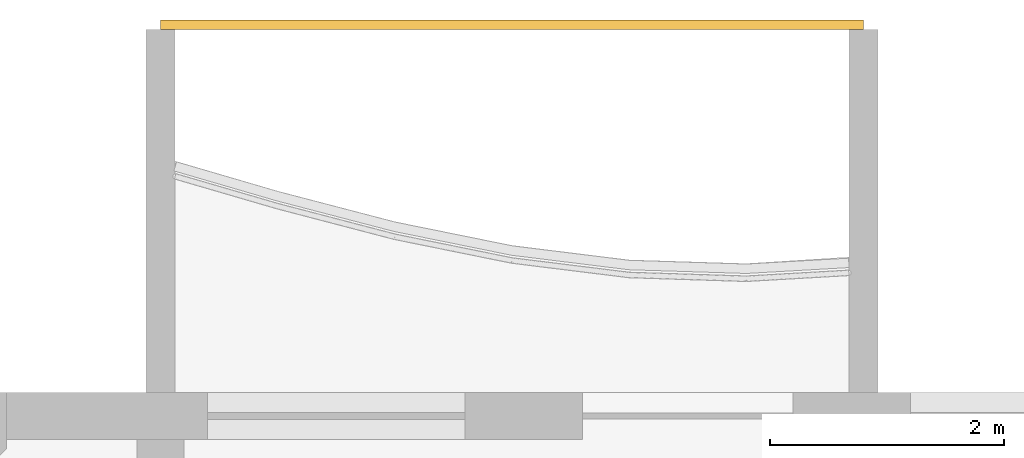
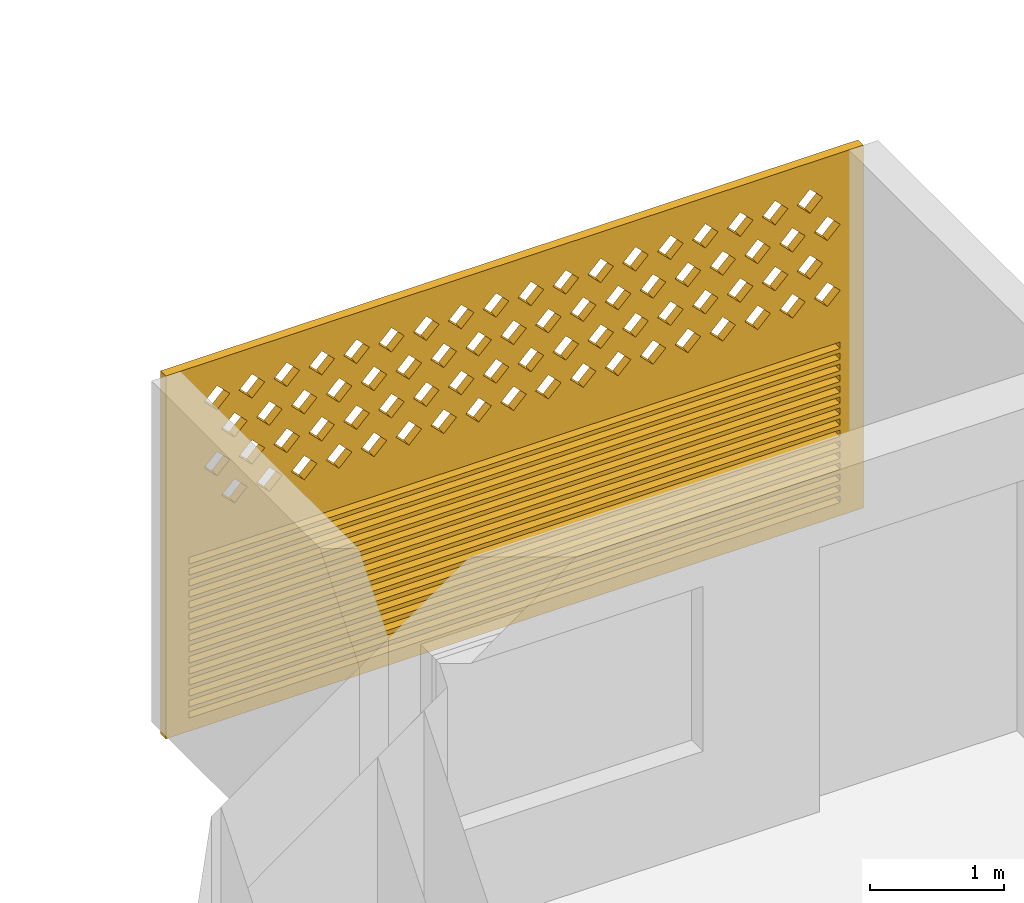
# One storey, part 23 of 44: 1 covering.
"""IFC4 building model written with IfcOpenShell, lengths in metres."""

from ifc_helpers import new_model, si_unit, direction, frame, origin, place, context, subcontext, project, spatial, polyline, outline, extrude, source, transform, mapped, material, material_profile, profile_set, type_object, element, save


model = new_model("IFC4")

# Units and contexts
model_context = context("Model", 3, precision=1e-05, world=origin(), true_north=direction((0.0, 1.0)))
body_context = subcontext(model_context, "Body", "Model", "MODEL_VIEW")
ifc_project = project(units=[si_unit("LENGTHUNIT", "METRE"), si_unit("AREAUNIT", "SQUARE_METRE"), si_unit("VOLUMEUNIT", "CUBIC_METRE"), si_unit("PLANEANGLEUNIT", "RADIAN"), si_unit("MASSUNIT", "GRAM", prefix="KILO")], contexts=[model_context])

# Site, building, storey
site_placement = place(None, origin())
site = spatial("IfcSite", under=ifc_project, at=site_placement, CompositionType="ELEMENT")
building_placement = place(site_placement, origin())
building = spatial("IfcBuilding", under=site, at=building_placement, Name="Poui Terraces", CompositionType="ELEMENT")
storey_placement = place(building_placement, frame((0.0, 0.0, 26.699951171875)))
storey = spatial("IfcBuildingStorey", under=building, at=storey_placement, Name="L06", CompositionType="ELEMENT", Elevation=26.699951171875)

# Covering
ifc_material = material(Name="Terracotta screen", Category="masonry")
ifc_material_profile = material_profile(ifc_material, outline(polyline([(-3.0, -1.64990234375), (3.0, -1.64990234375), (3.0, 1.64990234375), (-3.0, 1.64990234375), (-3.0, -1.64990234375)]), holes=[polyline([(-2.800048828125, 0.39990234375), (-2.68994140625, 0.2900390625), (-2.580078125, 0.39990234375), (-2.68994140625, 0.510009765625), (-2.800048828125, 0.39990234375)]), polyline([(-2.5, 0.39990234375), (-2.389892578125, 0.2900390625), (-2.280029296875, 0.39990234375), (-2.389892578125, 0.510009765625), (-2.5, 0.39990234375)]), polyline([(-2.199951171875, 0.39990234375), (-2.090087890625, 0.2900390625), (-1.97998046875, 0.39990234375), (-2.090087890625, 0.510009765625), (-2.199951171875, 0.39990234375)]), polyline([(-1.89990234375, 0.39990234375), (-1.7900390625, 0.2900390625), (-1.679931640625, 0.39990234375), (-1.7900390625, 0.510009765625), (-1.89990234375, 0.39990234375)]), polyline([(-1.60009765625, 0.39990234375), (-1.489990234375, 0.2900390625), (-1.3798828125, 0.39990234375), (-1.489990234375, 0.510009765625), (-1.60009765625, 0.39990234375)]), polyline([(-1.300048828125, 0.39990234375), (-1.18994140625, 0.2900390625), (-1.080078125, 0.39990234375), (-1.18994140625, 0.510009765625), (-1.300048828125, 0.39990234375)]), polyline([(-1.0, 0.39990234375), (-0.889892578125, 0.2900390625), (-0.780029296875, 0.39990234375), (-0.889892578125, 0.510009765625), (-1.0, 0.39990234375)]), polyline([(-0.699951171875, 0.39990234375), (-0.590087890625, 0.2900390625), (-0.47998046875, 0.39990234375), (-0.590087890625, 0.510009765625), (-0.699951171875, 0.39990234375)]), polyline([(-0.39990234375, 0.39990234375), (-0.2900390625, 0.2900390625), (-0.179931640625, 0.39990234375), (-0.2900390625, 0.510009765625), (-0.39990234375, 0.39990234375)]), polyline([(-0.10009765625, 0.39990234375), (0.010009765625, 0.2900390625), (0.1201171875, 0.39990234375), (0.010009765625, 0.510009765625), (-0.10009765625, 0.39990234375)]), polyline([(0.199951171875, 0.39990234375), (0.31005859375, 0.2900390625), (0.419921875, 0.39990234375), (0.31005859375, 0.510009765625), (0.199951171875, 0.39990234375)]), polyline([(0.5, 0.39990234375), (0.610107421875, 0.2900390625), (0.719970703125, 0.39990234375), (0.610107421875, 0.510009765625), (0.5, 0.39990234375)]), polyline([(0.800048828125, 0.39990234375), (0.909912109375, 0.2900390625), (1.02001953125, 0.39990234375), (0.909912109375, 0.510009765625), (0.800048828125, 0.39990234375)]), polyline([(1.10009765625, 0.39990234375), (1.2099609375, 0.2900390625), (1.320068359375, 0.39990234375), (1.2099609375, 0.510009765625), (1.10009765625, 0.39990234375)]), polyline([(1.39990234375, 0.39990234375), (1.510009765625, 0.2900390625), (1.6201171875, 0.39990234375), (1.510009765625, 0.510009765625), (1.39990234375, 0.39990234375)]), polyline([(1.699951171875, 0.39990234375), (1.81005859375, 0.2900390625), (1.919921875, 0.39990234375), (1.81005859375, 0.510009765625), (1.699951171875, 0.39990234375)]), polyline([(2.0, 0.39990234375), (2.110107421875, 0.2900390625), (2.219970703125, 0.39990234375), (2.110107421875, 0.510009765625), (2.0, 0.39990234375)]), polyline([(2.300048828125, 0.39990234375), (2.409912109375, 0.2900390625), (2.52001953125, 0.39990234375), (2.409912109375, 0.510009765625), (2.300048828125, 0.39990234375)]), polyline([(-2.64990234375, 0.699951171875), (-2.5400390625, 0.590087890625), (-2.429931640625, 0.699951171875), (-2.5400390625, 0.81005859375), (-2.64990234375, 0.699951171875)]), polyline([(-2.35009765625, 0.699951171875), (-2.239990234375, 0.590087890625), (-2.1298828125, 0.699951171875), (-2.239990234375, 0.81005859375), (-2.35009765625, 0.699951171875)]), polyline([(-2.050048828125, 0.699951171875), (-1.93994140625, 0.590087890625), (-1.830078125, 0.699951171875), (-1.93994140625, 0.81005859375), (-2.050048828125, 0.699951171875)]), polyline([(-1.75, 0.699951171875), (-1.639892578125, 0.590087890625), (-1.530029296875, 0.699951171875), (-1.639892578125, 0.81005859375), (-1.75, 0.699951171875)]), polyline([(-1.449951171875, 0.699951171875), (-1.340087890625, 0.590087890625), (-1.22998046875, 0.699951171875), (-1.340087890625, 0.81005859375), (-1.449951171875, 0.699951171875)]), polyline([(-1.14990234375, 0.699951171875), (-1.0400390625, 0.590087890625), (-0.929931640625, 0.699951171875), (-1.0400390625, 0.81005859375), (-1.14990234375, 0.699951171875)]), polyline([(-0.85009765625, 0.699951171875), (-0.739990234375, 0.590087890625), (-0.6298828125, 0.699951171875), (-0.739990234375, 0.81005859375), (-0.85009765625, 0.699951171875)]), polyline([(-0.550048828125, 0.699951171875), (-0.43994140625, 0.590087890625), (-0.330078125, 0.699951171875), (-0.43994140625, 0.81005859375), (-0.550048828125, 0.699951171875)]), polyline([(-0.25, 0.699951171875), (-0.139892578125, 0.590087890625), (-0.030029296875, 0.699951171875), (-0.139892578125, 0.81005859375), (-0.25, 0.699951171875)]), polyline([(0.050048828125, 0.699951171875), (0.159912109375, 0.590087890625), (0.27001953125, 0.699951171875), (0.159912109375, 0.81005859375), (0.050048828125, 0.699951171875)]), polyline([(0.35009765625, 0.699951171875), (0.4599609375, 0.590087890625), (0.570068359375, 0.699951171875), (0.4599609375, 0.81005859375), (0.35009765625, 0.699951171875)]), polyline([(0.64990234375, 0.699951171875), (0.760009765625, 0.590087890625), (0.8701171875, 0.699951171875), (0.760009765625, 0.81005859375), (0.64990234375, 0.699951171875)]), polyline([(0.949951171875, 0.699951171875), (1.06005859375, 0.590087890625), (1.169921875, 0.699951171875), (1.06005859375, 0.81005859375), (0.949951171875, 0.699951171875)]), polyline([(1.25, 0.699951171875), (1.360107421875, 0.590087890625), (1.469970703125, 0.699951171875), (1.360107421875, 0.81005859375), (1.25, 0.699951171875)]), polyline([(1.550048828125, 0.699951171875), (1.659912109375, 0.590087890625), (1.77001953125, 0.699951171875), (1.659912109375, 0.81005859375), (1.550048828125, 0.699951171875)]), polyline([(1.85009765625, 0.699951171875), (1.9599609375, 0.590087890625), (2.070068359375, 0.699951171875), (1.9599609375, 0.81005859375), (1.85009765625, 0.699951171875)]), polyline([(2.14990234375, 0.699951171875), (2.260009765625, 0.590087890625), (2.3701171875, 0.699951171875), (2.260009765625, 0.81005859375), (2.14990234375, 0.699951171875)]), polyline([(2.449951171875, 0.699951171875), (2.56005859375, 0.590087890625), (2.669921875, 0.699951171875), (2.56005859375, 0.81005859375), (2.449951171875, 0.699951171875)]), polyline([(-2.800048828125, 1.0), (-2.68994140625, 0.889892578125), (-2.580078125, 1.0), (-2.68994140625, 1.110107421875), (-2.800048828125, 1.0)]), polyline([(-2.5, 1.0), (-2.389892578125, 0.889892578125), (-2.280029296875, 1.0), (-2.389892578125, 1.110107421875), (-2.5, 1.0)]), polyline([(-2.199951171875, 1.0), (-2.090087890625, 0.889892578125), (-1.97998046875, 1.0), (-2.090087890625, 1.110107421875), (-2.199951171875, 1.0)]), polyline([(-1.89990234375, 1.0), (-1.7900390625, 0.889892578125), (-1.679931640625, 1.0), (-1.7900390625, 1.110107421875), (-1.89990234375, 1.0)]), polyline([(-1.60009765625, 1.0), (-1.489990234375, 0.889892578125), (-1.3798828125, 1.0), (-1.489990234375, 1.110107421875), (-1.60009765625, 1.0)]), polyline([(-1.300048828125, 1.0), (-1.18994140625, 0.889892578125), (-1.080078125, 1.0), (-1.18994140625, 1.110107421875), (-1.300048828125, 1.0)]), polyline([(-1.0, 1.0), (-0.889892578125, 0.889892578125), (-0.780029296875, 1.0), (-0.889892578125, 1.110107421875), (-1.0, 1.0)]), polyline([(-0.699951171875, 1.0), (-0.590087890625, 0.889892578125), (-0.47998046875, 1.0), (-0.590087890625, 1.110107421875), (-0.699951171875, 1.0)]), polyline([(-0.39990234375, 1.0), (-0.2900390625, 0.889892578125), (-0.179931640625, 1.0), (-0.2900390625, 1.110107421875), (-0.39990234375, 1.0)]), polyline([(-0.10009765625, 1.0), (0.010009765625, 0.889892578125), (0.1201171875, 1.0), (0.010009765625, 1.110107421875), (-0.10009765625, 1.0)]), polyline([(0.199951171875, 1.0), (0.31005859375, 0.889892578125), (0.419921875, 1.0), (0.31005859375, 1.110107421875), (0.199951171875, 1.0)]), polyline([(0.5, 1.0), (0.610107421875, 0.889892578125), (0.719970703125, 1.0), (0.610107421875, 1.110107421875), (0.5, 1.0)]), polyline([(0.800048828125, 1.0), (0.909912109375, 0.889892578125), (1.02001953125, 1.0), (0.909912109375, 1.110107421875), (0.800048828125, 1.0)]), polyline([(1.10009765625, 1.0), (1.2099609375, 0.889892578125), (1.320068359375, 1.0), (1.2099609375, 1.110107421875), (1.10009765625, 1.0)]), polyline([(1.39990234375, 1.0), (1.510009765625, 0.889892578125), (1.6201171875, 1.0), (1.510009765625, 1.110107421875), (1.39990234375, 1.0)]), polyline([(1.699951171875, 1.0), (1.81005859375, 0.889892578125), (1.919921875, 1.0), (1.81005859375, 1.110107421875), (1.699951171875, 1.0)]), polyline([(2.0, 1.0), (2.110107421875, 0.889892578125), (2.219970703125, 1.0), (2.110107421875, 1.110107421875), (2.0, 1.0)]), polyline([(2.300048828125, 1.0), (2.409912109375, 0.889892578125), (2.52001953125, 1.0), (2.409912109375, 1.110107421875), (2.300048828125, 1.0)]), polyline([(-2.64990234375, 1.300048828125), (-2.5400390625, 1.18994140625), (-2.429931640625, 1.300048828125), (-2.5400390625, 1.409912109375), (-2.64990234375, 1.300048828125)]), polyline([(-2.35009765625, 1.300048828125), (-2.239990234375, 1.18994140625), (-2.1298828125, 1.300048828125), (-2.239990234375, 1.409912109375), (-2.35009765625, 1.300048828125)]), polyline([(-2.050048828125, 1.300048828125), (-1.93994140625, 1.18994140625), (-1.830078125, 1.300048828125), (-1.93994140625, 1.409912109375), (-2.050048828125, 1.300048828125)]), polyline([(-1.75, 1.300048828125), (-1.639892578125, 1.18994140625), (-1.530029296875, 1.300048828125), (-1.639892578125, 1.409912109375), (-1.75, 1.300048828125)]), polyline([(-1.449951171875, 1.300048828125), (-1.340087890625, 1.18994140625), (-1.22998046875, 1.300048828125), (-1.340087890625, 1.409912109375), (-1.449951171875, 1.300048828125)]), polyline([(-1.14990234375, 1.300048828125), (-1.0400390625, 1.18994140625), (-0.929931640625, 1.300048828125), (-1.0400390625, 1.409912109375), (-1.14990234375, 1.300048828125)]), polyline([(-0.85009765625, 1.300048828125), (-0.739990234375, 1.18994140625), (-0.6298828125, 1.300048828125), (-0.739990234375, 1.409912109375), (-0.85009765625, 1.300048828125)]), polyline([(-0.550048828125, 1.300048828125), (-0.43994140625, 1.18994140625), (-0.330078125, 1.300048828125), (-0.43994140625, 1.409912109375), (-0.550048828125, 1.300048828125)]), polyline([(-0.25, 1.300048828125), (-0.139892578125, 1.18994140625), (-0.030029296875, 1.300048828125), (-0.139892578125, 1.409912109375), (-0.25, 1.300048828125)]), polyline([(0.050048828125, 1.300048828125), (0.159912109375, 1.18994140625), (0.27001953125, 1.300048828125), (0.159912109375, 1.409912109375), (0.050048828125, 1.300048828125)]), polyline([(0.35009765625, 1.300048828125), (0.4599609375, 1.18994140625), (0.570068359375, 1.300048828125), (0.4599609375, 1.409912109375), (0.35009765625, 1.300048828125)]), polyline([(0.64990234375, 1.300048828125), (0.760009765625, 1.18994140625), (0.8701171875, 1.300048828125), (0.760009765625, 1.409912109375), (0.64990234375, 1.300048828125)]), polyline([(0.949951171875, 1.300048828125), (1.06005859375, 1.18994140625), (1.169921875, 1.300048828125), (1.06005859375, 1.409912109375), (0.949951171875, 1.300048828125)]), polyline([(1.25, 1.300048828125), (1.360107421875, 1.18994140625), (1.469970703125, 1.300048828125), (1.360107421875, 1.409912109375), (1.25, 1.300048828125)]), polyline([(1.550048828125, 1.300048828125), (1.659912109375, 1.18994140625), (1.77001953125, 1.300048828125), (1.659912109375, 1.409912109375), (1.550048828125, 1.300048828125)]), polyline([(1.85009765625, 1.300048828125), (1.9599609375, 1.18994140625), (2.070068359375, 1.300048828125), (1.9599609375, 1.409912109375), (1.85009765625, 1.300048828125)]), polyline([(2.14990234375, 1.300048828125), (2.260009765625, 1.18994140625), (2.3701171875, 1.300048828125), (2.260009765625, 1.409912109375), (2.14990234375, 1.300048828125)]), polyline([(2.449951171875, 1.300048828125), (2.56005859375, 1.18994140625), (2.669921875, 1.300048828125), (2.56005859375, 1.409912109375), (2.449951171875, 1.300048828125)]), polyline([(-2.800048828125, -1.530029296875), (2.800048828125, -1.530029296875), (2.800048828125, -1.469970703125), (-2.800048828125, -1.469970703125), (-2.800048828125, -1.530029296875)]), polyline([(-2.800048828125, -1.429931640625), (2.800048828125, -1.429931640625), (2.800048828125, -1.3701171875), (-2.800048828125, -1.3701171875), (-2.800048828125, -1.429931640625)]), polyline([(-2.800048828125, -1.330078125), (2.800048828125, -1.330078125), (2.800048828125, -1.27001953125), (-2.800048828125, -1.27001953125), (-2.800048828125, -1.330078125)]), polyline([(-2.800048828125, -1.22998046875), (2.800048828125, -1.22998046875), (2.800048828125, -1.169921875), (-2.800048828125, -1.169921875), (-2.800048828125, -1.22998046875)]), polyline([(-2.800048828125, -1.1298828125), (2.800048828125, -1.1298828125), (2.800048828125, -1.070068359375), (-2.800048828125, -1.070068359375), (-2.800048828125, -1.1298828125)]), polyline([(-2.800048828125, -1.030029296875), (2.800048828125, -1.030029296875), (2.800048828125, -0.969970703125), (-2.800048828125, -0.969970703125), (-2.800048828125, -1.030029296875)]), polyline([(-2.800048828125, -0.929931640625), (2.800048828125, -0.929931640625), (2.800048828125, -0.8701171875), (-2.800048828125, -0.8701171875), (-2.800048828125, -0.929931640625)]), polyline([(-2.800048828125, -0.830078125), (2.800048828125, -0.830078125), (2.800048828125, -0.77001953125), (-2.800048828125, -0.77001953125), (-2.800048828125, -0.830078125)]), polyline([(-2.800048828125, -0.72998046875), (2.800048828125, -0.72998046875), (2.800048828125, -0.669921875), (-2.800048828125, -0.669921875), (-2.800048828125, -0.72998046875)]), polyline([(-2.800048828125, -0.6298828125), (2.800048828125, -0.6298828125), (2.800048828125, -0.570068359375), (-2.800048828125, -0.570068359375), (-2.800048828125, -0.6298828125)]), polyline([(-2.800048828125, -0.530029296875), (2.800048828125, -0.530029296875), (2.800048828125, -0.469970703125), (-2.800048828125, -0.469970703125), (-2.800048828125, -0.530029296875)]), polyline([(-2.800048828125, -0.429931640625), (2.800048828125, -0.429931640625), (2.800048828125, -0.3701171875), (-2.800048828125, -0.3701171875), (-2.800048828125, -0.429931640625)]), polyline([(-2.800048828125, -0.330078125), (2.800048828125, -0.330078125), (2.800048828125, -0.27001953125), (-2.800048828125, -0.27001953125), (-2.800048828125, -0.330078125)]), polyline([(-2.800048828125, -0.22998046875), (2.800048828125, -0.22998046875), (2.800048828125, -0.169921875), (-2.800048828125, -0.169921875), (-2.800048828125, -0.22998046875)]), polyline([(-2.800048828125, -0.1298828125), (2.800048828125, -0.1298828125), (2.800048828125, -0.070068359375), (-2.800048828125, -0.070068359375), (-2.800048828125, -0.1298828125)])]), Name="TERRACOTTA SCREEN AND JALOUSIE LOUVRE 6000X3300")
ifc_profile_set = profile_set([ifc_material_profile], Name="Terracotta screen")
covering_type = type_object("IfcCoveringType", Name="TERRACOTTA SCREEN AND JALOUSIE LOUVRE 6000X3300", PredefinedType="CLADDING", material=ifc_profile_set)
shared_shape = source(origin(), body_context, "Body", "SweptSolid", [
    extrude(outline(polyline([(-3.0, -1.64990234375), (3.0, -1.64990234375), (3.0, 1.64990234375), (-3.0, 1.64990234375), (-3.0, -1.64990234375)]), holes=[polyline([(-2.800048828125, 0.39990234375), (-2.68994140625, 0.2900390625), (-2.580078125, 0.39990234375), (-2.68994140625, 0.510009765625), (-2.800048828125, 0.39990234375)]), polyline([(-2.5, 0.39990234375), (-2.389892578125, 0.2900390625), (-2.280029296875, 0.39990234375), (-2.389892578125, 0.510009765625), (-2.5, 0.39990234375)]), polyline([(-2.199951171875, 0.39990234375), (-2.090087890625, 0.2900390625), (-1.97998046875, 0.39990234375), (-2.090087890625, 0.510009765625), (-2.199951171875, 0.39990234375)]), polyline([(-1.89990234375, 0.39990234375), (-1.7900390625, 0.2900390625), (-1.679931640625, 0.39990234375), (-1.7900390625, 0.510009765625), (-1.89990234375, 0.39990234375)]), polyline([(-1.60009765625, 0.39990234375), (-1.489990234375, 0.2900390625), (-1.3798828125, 0.39990234375), (-1.489990234375, 0.510009765625), (-1.60009765625, 0.39990234375)]), polyline([(-1.300048828125, 0.39990234375), (-1.18994140625, 0.2900390625), (-1.080078125, 0.39990234375), (-1.18994140625, 0.510009765625), (-1.300048828125, 0.39990234375)]), polyline([(-1.0, 0.39990234375), (-0.889892578125, 0.2900390625), (-0.780029296875, 0.39990234375), (-0.889892578125, 0.510009765625), (-1.0, 0.39990234375)]), polyline([(-0.699951171875, 0.39990234375), (-0.590087890625, 0.2900390625), (-0.47998046875, 0.39990234375), (-0.590087890625, 0.510009765625), (-0.699951171875, 0.39990234375)]), polyline([(-0.39990234375, 0.39990234375), (-0.2900390625, 0.2900390625), (-0.179931640625, 0.39990234375), (-0.2900390625, 0.510009765625), (-0.39990234375, 0.39990234375)]), polyline([(-0.10009765625, 0.39990234375), (0.010009765625, 0.2900390625), (0.1201171875, 0.39990234375), (0.010009765625, 0.510009765625), (-0.10009765625, 0.39990234375)]), polyline([(0.199951171875, 0.39990234375), (0.31005859375, 0.2900390625), (0.419921875, 0.39990234375), (0.31005859375, 0.510009765625), (0.199951171875, 0.39990234375)]), polyline([(0.5, 0.39990234375), (0.610107421875, 0.2900390625), (0.719970703125, 0.39990234375), (0.610107421875, 0.510009765625), (0.5, 0.39990234375)]), polyline([(0.800048828125, 0.39990234375), (0.909912109375, 0.2900390625), (1.02001953125, 0.39990234375), (0.909912109375, 0.510009765625), (0.800048828125, 0.39990234375)]), polyline([(1.10009765625, 0.39990234375), (1.2099609375, 0.2900390625), (1.320068359375, 0.39990234375), (1.2099609375, 0.510009765625), (1.10009765625, 0.39990234375)]), polyline([(1.39990234375, 0.39990234375), (1.510009765625, 0.2900390625), (1.6201171875, 0.39990234375), (1.510009765625, 0.510009765625), (1.39990234375, 0.39990234375)]), polyline([(1.699951171875, 0.39990234375), (1.81005859375, 0.2900390625), (1.919921875, 0.39990234375), (1.81005859375, 0.510009765625), (1.699951171875, 0.39990234375)]), polyline([(2.0, 0.39990234375), (2.110107421875, 0.2900390625), (2.219970703125, 0.39990234375), (2.110107421875, 0.510009765625), (2.0, 0.39990234375)]), polyline([(2.300048828125, 0.39990234375), (2.409912109375, 0.2900390625), (2.52001953125, 0.39990234375), (2.409912109375, 0.510009765625), (2.300048828125, 0.39990234375)]), polyline([(-2.64990234375, 0.699951171875), (-2.5400390625, 0.590087890625), (-2.429931640625, 0.699951171875), (-2.5400390625, 0.81005859375), (-2.64990234375, 0.699951171875)]), polyline([(-2.35009765625, 0.699951171875), (-2.239990234375, 0.590087890625), (-2.1298828125, 0.699951171875), (-2.239990234375, 0.81005859375), (-2.35009765625, 0.699951171875)]), polyline([(-2.050048828125, 0.699951171875), (-1.93994140625, 0.590087890625), (-1.830078125, 0.699951171875), (-1.93994140625, 0.81005859375), (-2.050048828125, 0.699951171875)]), polyline([(-1.75, 0.699951171875), (-1.639892578125, 0.590087890625), (-1.530029296875, 0.699951171875), (-1.639892578125, 0.81005859375), (-1.75, 0.699951171875)]), polyline([(-1.449951171875, 0.699951171875), (-1.340087890625, 0.590087890625), (-1.22998046875, 0.699951171875), (-1.340087890625, 0.81005859375), (-1.449951171875, 0.699951171875)]), polyline([(-1.14990234375, 0.699951171875), (-1.0400390625, 0.590087890625), (-0.929931640625, 0.699951171875), (-1.0400390625, 0.81005859375), (-1.14990234375, 0.699951171875)]), polyline([(-0.85009765625, 0.699951171875), (-0.739990234375, 0.590087890625), (-0.6298828125, 0.699951171875), (-0.739990234375, 0.81005859375), (-0.85009765625, 0.699951171875)]), polyline([(-0.550048828125, 0.699951171875), (-0.43994140625, 0.590087890625), (-0.330078125, 0.699951171875), (-0.43994140625, 0.81005859375), (-0.550048828125, 0.699951171875)]), polyline([(-0.25, 0.699951171875), (-0.139892578125, 0.590087890625), (-0.030029296875, 0.699951171875), (-0.139892578125, 0.81005859375), (-0.25, 0.699951171875)]), polyline([(0.050048828125, 0.699951171875), (0.159912109375, 0.590087890625), (0.27001953125, 0.699951171875), (0.159912109375, 0.81005859375), (0.050048828125, 0.699951171875)]), polyline([(0.35009765625, 0.699951171875), (0.4599609375, 0.590087890625), (0.570068359375, 0.699951171875), (0.4599609375, 0.81005859375), (0.35009765625, 0.699951171875)]), polyline([(0.64990234375, 0.699951171875), (0.760009765625, 0.590087890625), (0.8701171875, 0.699951171875), (0.760009765625, 0.81005859375), (0.64990234375, 0.699951171875)]), polyline([(0.949951171875, 0.699951171875), (1.06005859375, 0.590087890625), (1.169921875, 0.699951171875), (1.06005859375, 0.81005859375), (0.949951171875, 0.699951171875)]), polyline([(1.25, 0.699951171875), (1.360107421875, 0.590087890625), (1.469970703125, 0.699951171875), (1.360107421875, 0.81005859375), (1.25, 0.699951171875)]), polyline([(1.550048828125, 0.699951171875), (1.659912109375, 0.590087890625), (1.77001953125, 0.699951171875), (1.659912109375, 0.81005859375), (1.550048828125, 0.699951171875)]), polyline([(1.85009765625, 0.699951171875), (1.9599609375, 0.590087890625), (2.070068359375, 0.699951171875), (1.9599609375, 0.81005859375), (1.85009765625, 0.699951171875)]), polyline([(2.14990234375, 0.699951171875), (2.260009765625, 0.590087890625), (2.3701171875, 0.699951171875), (2.260009765625, 0.81005859375), (2.14990234375, 0.699951171875)]), polyline([(2.449951171875, 0.699951171875), (2.56005859375, 0.590087890625), (2.669921875, 0.699951171875), (2.56005859375, 0.81005859375), (2.449951171875, 0.699951171875)]), polyline([(-2.800048828125, 1.0), (-2.68994140625, 0.889892578125), (-2.580078125, 1.0), (-2.68994140625, 1.110107421875), (-2.800048828125, 1.0)]), polyline([(-2.5, 1.0), (-2.389892578125, 0.889892578125), (-2.280029296875, 1.0), (-2.389892578125, 1.110107421875), (-2.5, 1.0)]), polyline([(-2.199951171875, 1.0), (-2.090087890625, 0.889892578125), (-1.97998046875, 1.0), (-2.090087890625, 1.110107421875), (-2.199951171875, 1.0)]), polyline([(-1.89990234375, 1.0), (-1.7900390625, 0.889892578125), (-1.679931640625, 1.0), (-1.7900390625, 1.110107421875), (-1.89990234375, 1.0)]), polyline([(-1.60009765625, 1.0), (-1.489990234375, 0.889892578125), (-1.3798828125, 1.0), (-1.489990234375, 1.110107421875), (-1.60009765625, 1.0)]), polyline([(-1.300048828125, 1.0), (-1.18994140625, 0.889892578125), (-1.080078125, 1.0), (-1.18994140625, 1.110107421875), (-1.300048828125, 1.0)]), polyline([(-1.0, 1.0), (-0.889892578125, 0.889892578125), (-0.780029296875, 1.0), (-0.889892578125, 1.110107421875), (-1.0, 1.0)]), polyline([(-0.699951171875, 1.0), (-0.590087890625, 0.889892578125), (-0.47998046875, 1.0), (-0.590087890625, 1.110107421875), (-0.699951171875, 1.0)]), polyline([(-0.39990234375, 1.0), (-0.2900390625, 0.889892578125), (-0.179931640625, 1.0), (-0.2900390625, 1.110107421875), (-0.39990234375, 1.0)]), polyline([(-0.10009765625, 1.0), (0.010009765625, 0.889892578125), (0.1201171875, 1.0), (0.010009765625, 1.110107421875), (-0.10009765625, 1.0)]), polyline([(0.199951171875, 1.0), (0.31005859375, 0.889892578125), (0.419921875, 1.0), (0.31005859375, 1.110107421875), (0.199951171875, 1.0)]), polyline([(0.5, 1.0), (0.610107421875, 0.889892578125), (0.719970703125, 1.0), (0.610107421875, 1.110107421875), (0.5, 1.0)]), polyline([(0.800048828125, 1.0), (0.909912109375, 0.889892578125), (1.02001953125, 1.0), (0.909912109375, 1.110107421875), (0.800048828125, 1.0)]), polyline([(1.10009765625, 1.0), (1.2099609375, 0.889892578125), (1.320068359375, 1.0), (1.2099609375, 1.110107421875), (1.10009765625, 1.0)]), polyline([(1.39990234375, 1.0), (1.510009765625, 0.889892578125), (1.6201171875, 1.0), (1.510009765625, 1.110107421875), (1.39990234375, 1.0)]), polyline([(1.699951171875, 1.0), (1.81005859375, 0.889892578125), (1.919921875, 1.0), (1.81005859375, 1.110107421875), (1.699951171875, 1.0)]), polyline([(2.0, 1.0), (2.110107421875, 0.889892578125), (2.219970703125, 1.0), (2.110107421875, 1.110107421875), (2.0, 1.0)]), polyline([(2.300048828125, 1.0), (2.409912109375, 0.889892578125), (2.52001953125, 1.0), (2.409912109375, 1.110107421875), (2.300048828125, 1.0)]), polyline([(-2.64990234375, 1.300048828125), (-2.5400390625, 1.18994140625), (-2.429931640625, 1.300048828125), (-2.5400390625, 1.409912109375), (-2.64990234375, 1.300048828125)]), polyline([(-2.35009765625, 1.300048828125), (-2.239990234375, 1.18994140625), (-2.1298828125, 1.300048828125), (-2.239990234375, 1.409912109375), (-2.35009765625, 1.300048828125)]), polyline([(-2.050048828125, 1.300048828125), (-1.93994140625, 1.18994140625), (-1.830078125, 1.300048828125), (-1.93994140625, 1.409912109375), (-2.050048828125, 1.300048828125)]), polyline([(-1.75, 1.300048828125), (-1.639892578125, 1.18994140625), (-1.530029296875, 1.300048828125), (-1.639892578125, 1.409912109375), (-1.75, 1.300048828125)]), polyline([(-1.449951171875, 1.300048828125), (-1.340087890625, 1.18994140625), (-1.22998046875, 1.300048828125), (-1.340087890625, 1.409912109375), (-1.449951171875, 1.300048828125)]), polyline([(-1.14990234375, 1.300048828125), (-1.0400390625, 1.18994140625), (-0.929931640625, 1.300048828125), (-1.0400390625, 1.409912109375), (-1.14990234375, 1.300048828125)]), polyline([(-0.85009765625, 1.300048828125), (-0.739990234375, 1.18994140625), (-0.6298828125, 1.300048828125), (-0.739990234375, 1.409912109375), (-0.85009765625, 1.300048828125)]), polyline([(-0.550048828125, 1.300048828125), (-0.43994140625, 1.18994140625), (-0.330078125, 1.300048828125), (-0.43994140625, 1.409912109375), (-0.550048828125, 1.300048828125)]), polyline([(-0.25, 1.300048828125), (-0.139892578125, 1.18994140625), (-0.030029296875, 1.300048828125), (-0.139892578125, 1.409912109375), (-0.25, 1.300048828125)]), polyline([(0.050048828125, 1.300048828125), (0.159912109375, 1.18994140625), (0.27001953125, 1.300048828125), (0.159912109375, 1.409912109375), (0.050048828125, 1.300048828125)]), polyline([(0.35009765625, 1.300048828125), (0.4599609375, 1.18994140625), (0.570068359375, 1.300048828125), (0.4599609375, 1.409912109375), (0.35009765625, 1.300048828125)]), polyline([(0.64990234375, 1.300048828125), (0.760009765625, 1.18994140625), (0.8701171875, 1.300048828125), (0.760009765625, 1.409912109375), (0.64990234375, 1.300048828125)]), polyline([(0.949951171875, 1.300048828125), (1.06005859375, 1.18994140625), (1.169921875, 1.300048828125), (1.06005859375, 1.409912109375), (0.949951171875, 1.300048828125)]), polyline([(1.25, 1.300048828125), (1.360107421875, 1.18994140625), (1.469970703125, 1.300048828125), (1.360107421875, 1.409912109375), (1.25, 1.300048828125)]), polyline([(1.550048828125, 1.300048828125), (1.659912109375, 1.18994140625), (1.77001953125, 1.300048828125), (1.659912109375, 1.409912109375), (1.550048828125, 1.300048828125)]), polyline([(1.85009765625, 1.300048828125), (1.9599609375, 1.18994140625), (2.070068359375, 1.300048828125), (1.9599609375, 1.409912109375), (1.85009765625, 1.300048828125)]), polyline([(2.14990234375, 1.300048828125), (2.260009765625, 1.18994140625), (2.3701171875, 1.300048828125), (2.260009765625, 1.409912109375), (2.14990234375, 1.300048828125)]), polyline([(2.449951171875, 1.300048828125), (2.56005859375, 1.18994140625), (2.669921875, 1.300048828125), (2.56005859375, 1.409912109375), (2.449951171875, 1.300048828125)]), polyline([(-2.800048828125, -1.530029296875), (2.800048828125, -1.530029296875), (2.800048828125, -1.469970703125), (-2.800048828125, -1.469970703125), (-2.800048828125, -1.530029296875)]), polyline([(-2.800048828125, -1.429931640625), (2.800048828125, -1.429931640625), (2.800048828125, -1.3701171875), (-2.800048828125, -1.3701171875), (-2.800048828125, -1.429931640625)]), polyline([(-2.800048828125, -1.330078125), (2.800048828125, -1.330078125), (2.800048828125, -1.27001953125), (-2.800048828125, -1.27001953125), (-2.800048828125, -1.330078125)]), polyline([(-2.800048828125, -1.22998046875), (2.800048828125, -1.22998046875), (2.800048828125, -1.169921875), (-2.800048828125, -1.169921875), (-2.800048828125, -1.22998046875)]), polyline([(-2.800048828125, -1.1298828125), (2.800048828125, -1.1298828125), (2.800048828125, -1.070068359375), (-2.800048828125, -1.070068359375), (-2.800048828125, -1.1298828125)]), polyline([(-2.800048828125, -1.030029296875), (2.800048828125, -1.030029296875), (2.800048828125, -0.969970703125), (-2.800048828125, -0.969970703125), (-2.800048828125, -1.030029296875)]), polyline([(-2.800048828125, -0.929931640625), (2.800048828125, -0.929931640625), (2.800048828125, -0.8701171875), (-2.800048828125, -0.8701171875), (-2.800048828125, -0.929931640625)]), polyline([(-2.800048828125, -0.830078125), (2.800048828125, -0.830078125), (2.800048828125, -0.77001953125), (-2.800048828125, -0.77001953125), (-2.800048828125, -0.830078125)]), polyline([(-2.800048828125, -0.72998046875), (2.800048828125, -0.72998046875), (2.800048828125, -0.669921875), (-2.800048828125, -0.669921875), (-2.800048828125, -0.72998046875)]), polyline([(-2.800048828125, -0.6298828125), (2.800048828125, -0.6298828125), (2.800048828125, -0.570068359375), (-2.800048828125, -0.570068359375), (-2.800048828125, -0.6298828125)]), polyline([(-2.800048828125, -0.530029296875), (2.800048828125, -0.530029296875), (2.800048828125, -0.469970703125), (-2.800048828125, -0.469970703125), (-2.800048828125, -0.530029296875)]), polyline([(-2.800048828125, -0.429931640625), (2.800048828125, -0.429931640625), (2.800048828125, -0.3701171875), (-2.800048828125, -0.3701171875), (-2.800048828125, -0.429931640625)]), polyline([(-2.800048828125, -0.330078125), (2.800048828125, -0.330078125), (2.800048828125, -0.27001953125), (-2.800048828125, -0.27001953125), (-2.800048828125, -0.330078125)]), polyline([(-2.800048828125, -0.22998046875), (2.800048828125, -0.22998046875), (2.800048828125, -0.169921875), (-2.800048828125, -0.169921875), (-2.800048828125, -0.22998046875)]), polyline([(-2.800048828125, -0.1298828125), (2.800048828125, -0.1298828125), (2.800048828125, -0.070068359375), (-2.800048828125, -0.070068359375), (-2.800048828125, -0.1298828125)])]), origin(), (0.0, 0.0, 1.0), 0.079833984375),
])
covering_placement = place(storey_placement, frame((9.0, 48.10009765625, 1.449951171875), z_axis=(0.0, 1.0, 0.0), x_axis=(-1.0, 0.0, 0.0)))
element("IfcCovering", 1, at=covering_placement, inside=storey, type_object=covering_type, Name="SOLAR SCREEN AND JALOUSIE LOUVRE", PredefinedType="CLADDING", context=body_context, shape_type="MappedRepresentation", body=[
    mapped(shared_shape, transform((0.0, 0.0, 0.0))),
])

save(model, "model.ifc")
